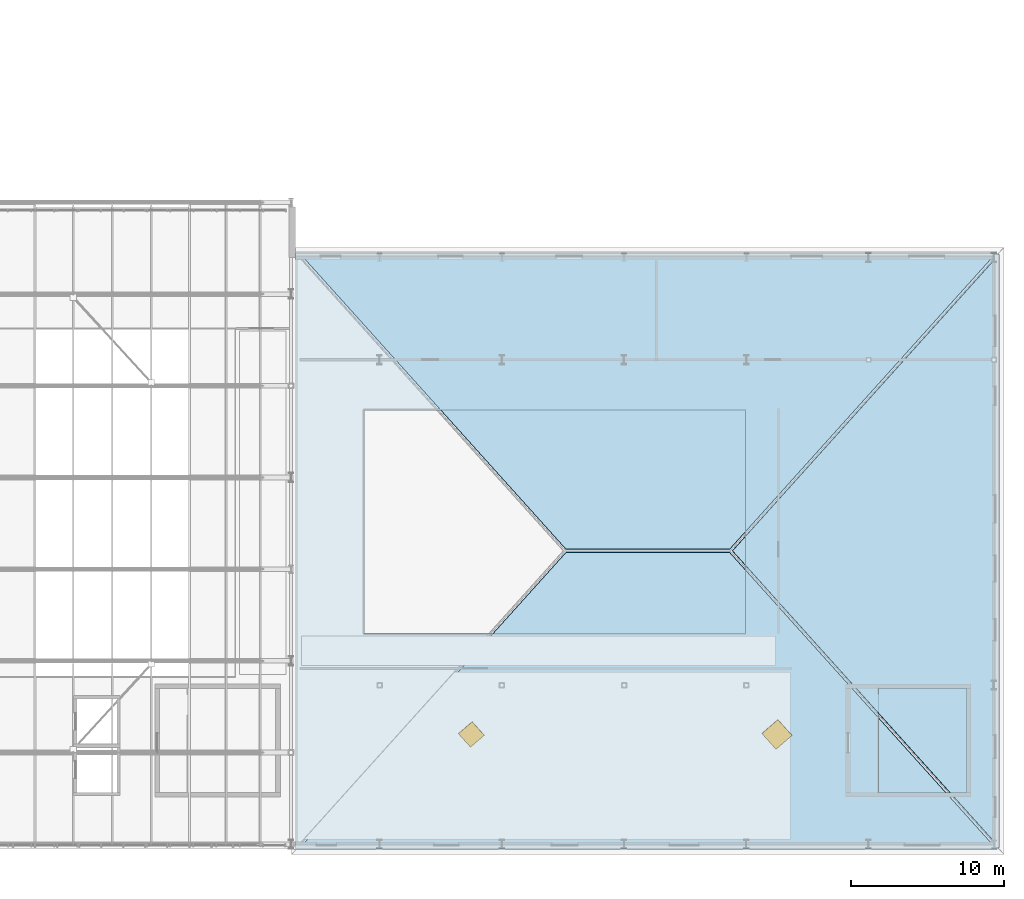
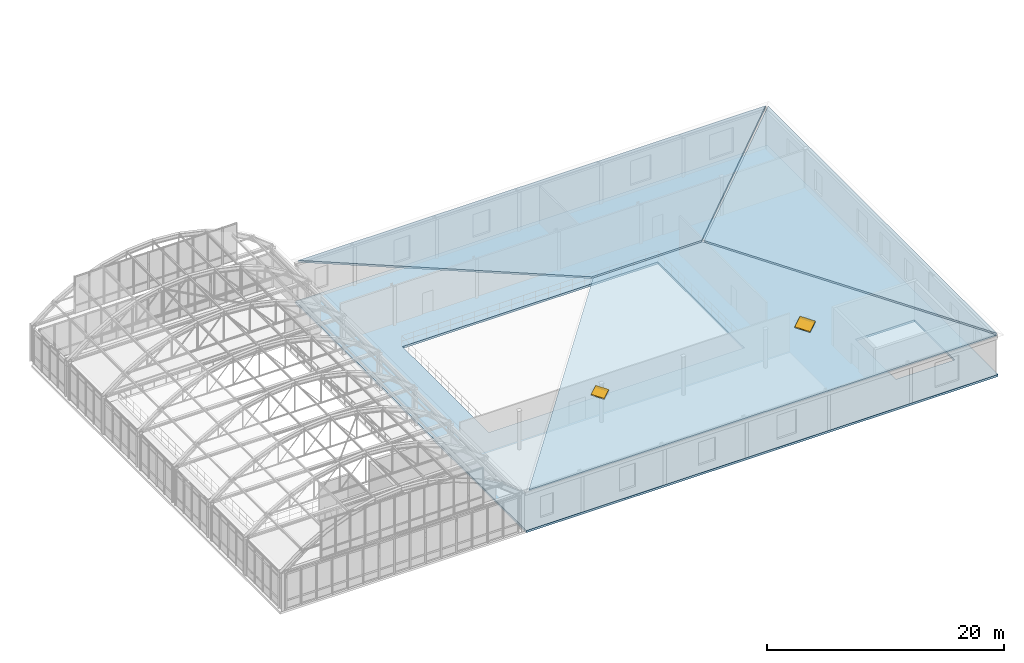
# One storey, part 105 of 148: 4 slabs, 2 windows, 2 openings.
"""IFC4 building model written with IfcOpenShell, lengths in metres."""

from ifc_helpers import new_model, si_unit, direction, frame, origin, origin_2d, place, context, subcontext, project, spatial, polyline, rectangle, outline, extrude, material, layer, layer_set, type_object, element, fill, save


model = new_model("IFC4")

# Units and contexts
model_context = context("Model", 3, precision=1e-05, world=origin(), true_north=direction((0.0, 1.0)))
body_context = subcontext(model_context, "Body", "Model", "MODEL_VIEW")
ifc_project = project(units=[si_unit("LENGTHUNIT", "METRE"), si_unit("AREAUNIT", "SQUARE_METRE"), si_unit("VOLUMEUNIT", "CUBIC_METRE"), si_unit("PLANEANGLEUNIT", "RADIAN"), si_unit("MASSUNIT", "GRAM", prefix="KILO"), si_unit("THERMODYNAMICTEMPERATUREUNIT", "KELVIN"), si_unit("POWERUNIT", "WATT")], contexts=[model_context])

# Site, building, storey
site_placement = place(None, origin())
site = spatial("IfcSite", under=ifc_project, at=site_placement, CompositionType="ELEMENT")
building_placement = place(site_placement, origin())
building = spatial("IfcBuilding", under=site, at=building_placement, Name="Solvatero Civic Police Headquarters", CompositionType="ELEMENT")
storey_placement = place(building_placement, frame((0.0, 0.0, 5.10009765625)))
storey = spatial("IfcBuildingStorey", under=building, at=storey_placement, Name="L01", CompositionType="ELEMENT", Elevation=5.10009765625)

# Slab
ifc_material_1 = material(Name="Concrete C35/45", Category="concrete")
ifc_layer_1 = layer(ifc_material_1, 0.219970703125)
ifc_layer_set_1 = layer_set([ifc_layer_1], Name="Concrete C35/45")
slab_type_1 = type_object("IfcSlabType", Name="SLB-COMP-220", PredefinedType="FLOOR", material=ifc_layer_set_1)
slab_1_placement = place(storey_placement, frame((0.0, 0.0, -0.22021484375)))
element("IfcSlab", 1, at=slab_1_placement, inside=storey, type_object=slab_type_1, Name="L01 Suspended floor slab SLB-L01-V3", PredefinedType="FLOOR", context=body_context, shape_type="SweptSolid", body=[
    extrude(outline(polyline([(168.5, 43.5), (168.5, 4.5), (122.501953125, 4.5), (122.501953125, 43.5), (168.5, 43.5)]), holes=[polyline([(166.39990234375, 15.0), (160.659912109375, 15.0), (160.659912109375, 8.199951171875), (166.39990234375, 8.199951171875), (166.39990234375, 15.0)]), polyline([(151.89990234375, 33.199951171875), (127.0, 33.199951171875), (127.0, 18.60009765625), (151.89990234375, 18.60009765625), (151.89990234375, 33.199951171875)])]), origin(), (0.0, 0.0, 1.0), 0.22021484375),
])

# Slab, openings, windows
ifc_layer_2 = layer(ifc_material_1, 0.179931640625)
ifc_layer_set_2 = layer_set([ifc_layer_2], Name="Concrete C35/45")
slab_type_2 = type_object("IfcSlabType", Name="SLB-RF-COT-180", PredefinedType="ROOF", material=ifc_layer_set_2)
slab_2_placement = place(storey_placement, frame((150.900390625, 23.89208984375, 8.077880859375), z_axis=(0.0, -0.199981279516, 0.97979971823), x_axis=(0.661396752187, -0.734885280208, -0.14999320361)))
slab_2 = element("IfcSlab", 2, at=slab_2_placement, inside=storey, type_object=slab_type_2, Name="GYM Lombard Hipped Roof Slab S", PredefinedType="ROOF", context=body_context, shape_type="SweptSolid", body=[
    extrude(outline(polyline([(0.0, 0.0), (26.38791436706246, 7.771561172376096e-16), (-3.776201915254909, -34.2066691126251), (-7.077397375091515, -8.025900308912279), (0.0, 0.0)])), origin(), (0.0, 0.0, -1.0), 0.179931640625),
])
opening_1_placement = place(slab_2_placement, frame((-2.074462890625, -20.703369140625, 0.0)))
opening_1 = element("IfcOpeningElement", 3, at=opening_1_placement, cuts=slab_2, Name="Opening SK-01", PredefinedType="OPENING", context=body_context, shape_type="SweptSolid", body=[
    extrude(rectangle(XDim=1.199951171875, YDim=1.199951171875, at=origin_2d()), frame((0.0, 0.0, -0.300048828125)), (0.0, 0.0, 1.0), 0.5),
])
opening_2_placement = place(slab_2_placement, frame((11.153564453125, -5.70263671875, 0.0)))
opening_2 = element("IfcOpeningElement", 4, at=opening_2_placement, cuts=slab_2, Name="Opening SK-02", PredefinedType="OPENING", context=body_context, shape_type="SweptSolid", body=[
    extrude(rectangle(XDim=1.39990234375, YDim=1.39990234375, at=origin_2d()), frame((0.0, 0.0, -0.300048828125)), (0.0, 0.0, 1.0), 0.5),
])
ifc_material_2 = material(Name="Insulated Aluminium Curb Glass", Category="aluminium")
window_type_1 = type_object("IfcWindowType", Name="SK-RF-120x120", PartitioningType="SINGLE_PANEL", PredefinedType="SKYLIGHT", material=ifc_material_2)
window_1_placement = place(opening_1_placement, frame((0.0, 0.0, 0.02001953125)))
window_1 = element("IfcWindow", 5, at=window_1_placement, inside=storey, type_object=window_type_1, Name="Roof Access Skylight Hatch SKH-01", OverallHeight=1.199951171875, OverallWidth=1.199951171875, PartitioningType="SINGLE_PANEL", PredefinedType="SKYLIGHT", context=body_context, shape_type="SweptSolid", body=[
    extrude(rectangle(XDim=1.199951171875, YDim=1.199951171875, at=origin_2d()), origin(), (0.0, 0.0, 1.0), 0.080078125),
])
fill(opening_1, window_1)
window_type_2 = type_object("IfcWindowType", Name="SK-RF-140x140", PartitioningType="SINGLE_PANEL", PredefinedType="SKYLIGHT", material=ifc_material_2)
window_2_placement = place(opening_2_placement, frame((0.0, 0.0, 0.02001953125)))
window_2 = element("IfcWindow", 6, at=window_2_placement, inside=storey, type_object=window_type_2, Name="Roof Access Skylight Hatch SKH-02", OverallHeight=1.39990234375, OverallWidth=1.39990234375, PartitioningType="SINGLE_PANEL", PredefinedType="SKYLIGHT", context=body_context, shape_type="SweptSolid", body=[
    extrude(rectangle(XDim=1.39990234375, YDim=1.39990234375, at=origin_2d()), origin(), (0.0, 0.0, 1.0), 0.080078125),
])
fill(opening_2, window_2)

# Slabs
slab_3_placement = place(storey_placement, frame((140.19970703125, 24.10791015625, 8.077880859375), z_axis=(0.0, 0.199981279516, 0.97979971823), x_axis=(-0.661401956885, 0.734880783283, -0.149992285768)))
element("IfcSlab", 7, at=slab_3_placement, inside=storey, type_object=slab_type_2, Name="GYM Lombard Hipped Roof Slab N", PredefinedType="ROOF", context=body_context, shape_type="SweptSolid", body=[
    extrude(outline(polyline([(0.0, 0.0), (26.38807584151425, 6.661338147750939e-16), (-3.776277809816469, -34.20645979447792), (-7.077453068910498, -8.025851196659444), (0.0, 0.0)])), origin(), (0.0, 0.0, -1.0), 0.179931640625),
])
slab_4_placement = place(storey_placement, frame((168.5, 43.337890625, 4.119873046875), z_axis=(0.22117110487, 0.0, 0.975235019044), x_axis=(0.0, -1.0, 0.0)))
element("IfcSlab", 8, at=slab_4_placement, inside=storey, type_object=slab_type_2, Name="GYM Lombard Hipped Roof Slab E", PredefinedType="ROOF", context=body_context, shape_type="SweptSolid", body=[
    extrude(outline(polyline([(0.0, 0.0), (38.67578125, 0.0), (19.337890625, -17.84600880250326), (0.0, 0.0)])), origin(), (0.0, 0.0, -1.0), 0.179931640625),
])

save(model, "model.ifc")
